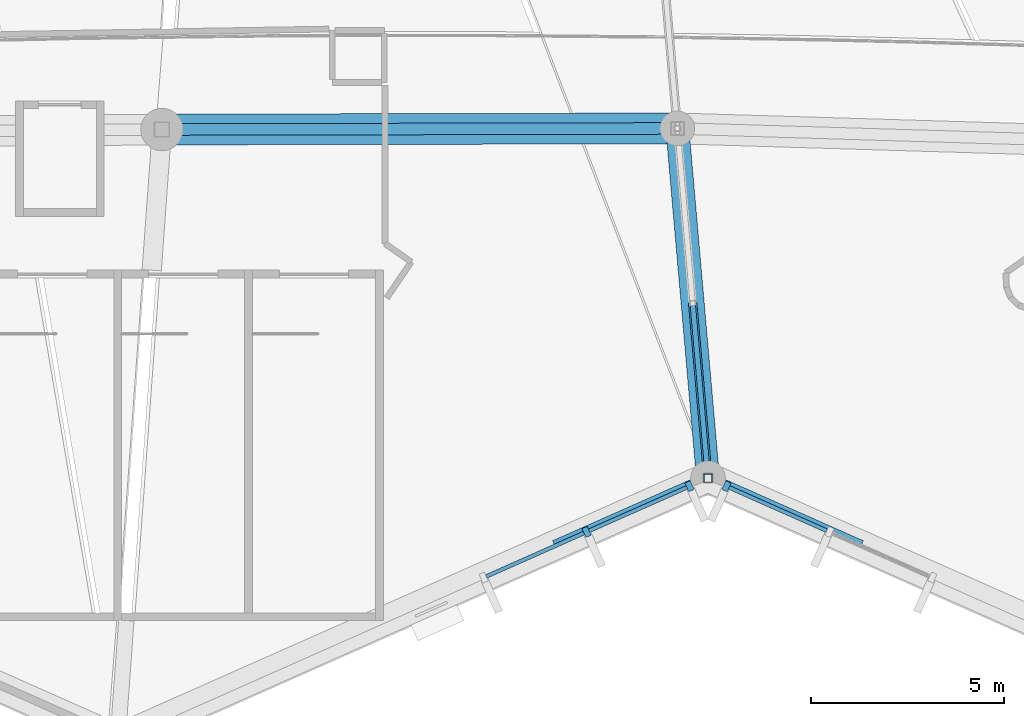
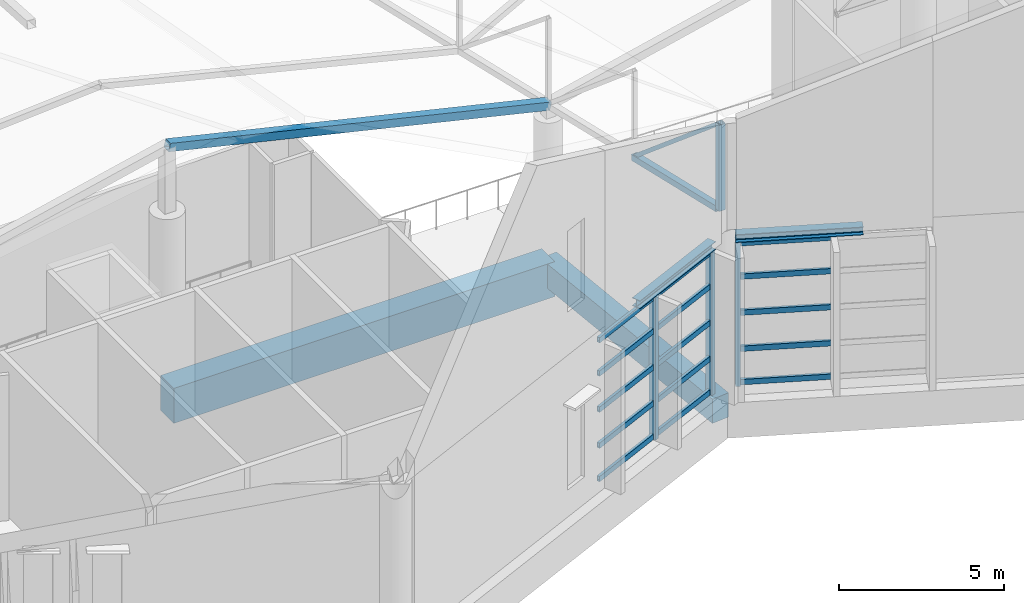
# One storey, part 34 of 344: 22 members, 4 beams, 2 elements without a shape of their own.
"""IFC4 building model written with IfcOpenShell, lengths in metres."""

from ifc_helpers import new_model, si_unit, direction, frame, origin, origin_2d, place, context, subcontext, project, spatial, rectangle, hollow_rectangle, i_section, extrude, material, layer, layer_set, material_profile, profile_set, type_object, element, aggregate, save


model = new_model("IFC4")

# Units and contexts
model_context = context("Model", 3, precision=1e-05, world=origin(), true_north=direction((0.0, 1.0)))
body_context = subcontext(model_context, "Body", "Model", "MODEL_VIEW")
ifc_project = project(units=[si_unit("LENGTHUNIT", "METRE"), si_unit("AREAUNIT", "SQUARE_METRE"), si_unit("VOLUMEUNIT", "CUBIC_METRE"), si_unit("PLANEANGLEUNIT", "RADIAN"), si_unit("MASSUNIT", "GRAM", prefix="KILO")], contexts=[model_context])

# Site, building, storey
site_placement = place(None, origin())
site = spatial("IfcSite", under=ifc_project, at=site_placement, CompositionType="ELEMENT")
building_placement = place(site_placement, origin())
building = spatial("IfcBuilding", under=site, at=building_placement, Name="Meseta Stadium", CompositionType="ELEMENT")
storey_placement = place(building_placement, frame((0.0, 0.0, 24.0)))
storey = spatial("IfcBuildingStorey", under=building, at=storey_placement, Name="L04", CompositionType="ELEMENT", Elevation=24.0)

# Beams
ifc_material_1 = material(Name="Steel S355", Category="steel")
ifc_material_profile_1 = material_profile(ifc_material_1, i_section(OverallWidth=0.300048828125, OverallDepth=0.300048828125, WebThickness=0.010986328125, FlangeThickness=0.01904296875, FilletRadius=0.027099609375, at=origin_2d()), Name="HEB 300")
ifc_profile_set_1 = profile_set([ifc_material_profile_1], Name="Steel S355")
beam_type_1 = type_object("IfcBeamType", Name="Atrium lintel beam HEB 300", PredefinedType="BEAM", material=ifc_profile_set_1)
for number, where, z_axis, x_axis, name in (
    (1, (7.255615234375, -98.7822265625, 5.5), (-0.914141668721, -0.405394880959, 0.0), (0.405394880959, -0.914141668721, 0.0), "Atrium lintel beam F46"),
    (2, (8.07763671875, -98.7822265625, 5.5), (0.914141668721, -0.405394880959, 0.0), (0.405394880959, 0.914141668721, 0.0), "Atrium lintel beam F47"),
):
    element("IfcBeam", number, at=place(storey_placement, frame(where, z_axis=z_axis, x_axis=x_axis)), inside=storey, type_object=beam_type_1, Name=name, PredefinedType="BEAM", context=body_context, shape_type="SweptSolid", body=[
        extrude(i_section(OverallWidth=0.300048828125, OverallDepth=0.300048828125, WebThickness=0.010986328125, FlangeThickness=0.01904296875, FilletRadius=0.027099609375, at=origin_2d()), origin(), (0.0, 0.0, 1.0), 3.900146484375),
    ])

# Curtain wall, members
ifc_material_2 = material(Name="Steel S355", Category="steel")
ifc_layer = layer(ifc_material_2, 0.300048828125)
ifc_layer_set = layer_set([ifc_layer], Name="Valley atrium curtain wall")
curtain_wall_type = type_object("IfcCurtainWallType", Name="Valley atrium curtain wall", PredefinedType="NOTDEFINED", material=ifc_layer_set)
curtain_wall_1_placement = place(storey_placement, origin())
curtain_wall_1 = element("IfcCurtainWall", 3, at=curtain_wall_1_placement, inside=storey, type_object=curtain_wall_type, Name="Valley atrium glazing F46", PredefinedType="NOTDEFINED")
ifc_material_3 = material(Name="Steel S355", Category="steel")
ifc_material_profile_2 = material_profile(ifc_material_3, rectangle(XDim=0.25, YDim=0.14990234375, at=origin_2d()), Name="CW 250x150")
ifc_profile_set_2 = profile_set([ifc_material_profile_2], Name="Steel S355")
member_type_1 = type_object("IfcMemberType", Name="CW mullion bar 250x150", PredefinedType="MULLION", material=ifc_profile_set_2)
member_1_placement = place(storey_placement, frame((4.51318359375, -99.99853515625, 0.0), z_axis=(0.0, 0.0, 1.0), x_axis=(-0.405400794526, 0.914139046206, 0.0)))
member_1 = element("IfcMember", 4, at=member_1_placement, type_object=member_type_1, Name="CWA mullion 2", PredefinedType="MULLION", context=body_context, shape_type="SweptSolid", body=[
    extrude(rectangle(XDim=0.25, YDim=0.14990234375, at=origin_2d()), origin(), (0.0, 0.0, 1.0), 5.35009765625),
])
member_2_placement = place(storey_placement, frame((7.18701171875, -98.812744140625, 0.0), z_axis=(0.0, 0.0, 1.0), x_axis=(-0.405400794526, 0.914139046206, 0.0)))
member_2 = element("IfcMember", 5, at=member_2_placement, type_object=member_type_1, Name="CWA mullion 3", PredefinedType="MULLION", context=body_context, shape_type="SweptSolid", body=[
    extrude(rectangle(XDim=0.25, YDim=0.14990234375, at=origin_2d()), origin(), (0.0, 0.0, 1.0), 5.35009765625),
])

# Curtain wall, member
curtain_wall_2_placement = place(storey_placement, origin())
curtain_wall_2 = element("IfcCurtainWall", 6, at=curtain_wall_2_placement, inside=storey, type_object=curtain_wall_type, Name="Valley atrium glazing F47", PredefinedType="NOTDEFINED")
member_3_placement = place(storey_placement, frame((8.146240234375, -98.812744140625, 0.0), z_axis=(0.0, 0.0, 1.0), x_axis=(0.405400794462, 0.914139046234, 0.0)))
member_3 = element("IfcMember", 7, at=member_3_placement, type_object=member_type_1, Name="CWA mullion 1", PredefinedType="MULLION", context=body_context, shape_type="SweptSolid", body=[
    extrude(rectangle(XDim=0.25, YDim=0.14990234375, at=origin_2d()), origin(), (0.0, 0.0, 1.0), 5.35009765625),
])

# Member
ifc_material_4 = material(Name="Steel S355", Category="steel")
ifc_material_profile_3 = material_profile(ifc_material_4, hollow_rectangle(XDim=0.10009765625, YDim=0.199951171875, WallThickness=0.008056640625, at=origin_2d()), Name="RHS 200x100x8")
ifc_profile_set_3 = profile_set([ifc_material_profile_3], Name="Steel S355")
member_type_2 = type_object("IfcMemberType", Name="CW transom RHS 200x100x8", PredefinedType="USERDEFINED", material=ifc_profile_set_3)
member_4_placement = place(storey_placement, frame((1.907958984375, -101.15380859375, 0.10009765625), z_axis=(0.914130540293, 0.405419973982, 0.0), x_axis=(-0.405419973982, 0.914130540293, 0.0)))
member_4 = element("IfcMember", 8, at=member_4_placement, type_object=member_type_2, Name="CWA transom 1.1", ObjectType="TRANSOM", PredefinedType="USERDEFINED", context=body_context, shape_type="SweptSolid", body=[
    extrude(hollow_rectangle(XDim=0.10009765625, YDim=0.199951171875, WallThickness=0.008056640625, at=origin_2d()), origin(), (0.0, 0.0, 1.0), 2.77490234375),
])

member_5_placement = place(storey_placement, frame((1.907958984375, -101.15380859375, 1.33740234375), z_axis=(0.914130540293, 0.405419973982, 0.0), x_axis=(-0.405419973982, 0.914130540293, 0.0)))
member_5 = element("IfcMember", 9, at=member_5_placement, type_object=member_type_2, Name="CWA transom 1.2", ObjectType="TRANSOM", PredefinedType="USERDEFINED", context=body_context, shape_type="SweptSolid", body=[
    extrude(hollow_rectangle(XDim=0.10009765625, YDim=0.199951171875, WallThickness=0.008056640625, at=origin_2d()), origin(), (0.0, 0.0, 1.0), 2.77490234375),
])

member_6_placement = place(storey_placement, frame((1.907958984375, -101.15380859375, 2.675048828125), z_axis=(0.914130540293, 0.405419973982, 0.0), x_axis=(-0.405419973982, 0.914130540293, 0.0)))
member_6 = element("IfcMember", 10, at=member_6_placement, type_object=member_type_2, Name="CWA transom 1.3", ObjectType="TRANSOM", PredefinedType="USERDEFINED", context=body_context, shape_type="SweptSolid", body=[
    extrude(hollow_rectangle(XDim=0.10009765625, YDim=0.199951171875, WallThickness=0.008056640625, at=origin_2d()), origin(), (0.0, 0.0, 1.0), 2.77490234375),
])

member_7_placement = place(storey_placement, frame((1.907958984375, -101.15380859375, 4.012451171875), z_axis=(0.914130540293, 0.405419973982, 0.0), x_axis=(-0.405419973982, 0.914130540293, 0.0)))
member_7 = element("IfcMember", 11, at=member_7_placement, type_object=member_type_2, Name="CWA transom 1.4", ObjectType="TRANSOM", PredefinedType="USERDEFINED", context=body_context, shape_type="SweptSolid", body=[
    extrude(hollow_rectangle(XDim=0.10009765625, YDim=0.199951171875, WallThickness=0.008056640625, at=origin_2d()), origin(), (0.0, 0.0, 1.0), 2.77490234375),
])

member_8_placement = place(storey_placement, frame((1.907958984375, -101.15380859375, 5.25), z_axis=(0.914130540293, 0.405419973982, 0.0), x_axis=(-0.405419973982, 0.914130540293, 0.0)))
member_8 = element("IfcMember", 12, at=member_8_placement, type_object=member_type_2, Name="CWA transom 1.5", ObjectType="TRANSOM", PredefinedType="USERDEFINED", context=body_context, shape_type="SweptSolid", body=[
    extrude(hollow_rectangle(XDim=0.10009765625, YDim=0.199951171875, WallThickness=0.008056640625, at=origin_2d()), origin(), (0.0, 0.0, 1.0), 2.77490234375),
])

member_9_placement = place(storey_placement, frame((4.581787109375, -99.968017578125, 0.10009765625), z_axis=(0.914144999703, 0.405387369707, 0.0), x_axis=(-0.405387369707, 0.914144999703, 0.0)))
member_9 = element("IfcMember", 13, at=member_9_placement, type_object=member_type_2, Name="CWA transom 2.1", ObjectType="TRANSOM", PredefinedType="USERDEFINED", context=body_context, shape_type="SweptSolid", body=[
    extrude(hollow_rectangle(XDim=0.10009765625, YDim=0.199951171875, WallThickness=0.008056640625, at=origin_2d()), origin(), (0.0, 0.0, 1.0), 2.775146484375),
])

member_10_placement = place(storey_placement, frame((4.581787109375, -99.968017578125, 1.33740234375), z_axis=(0.914144999703, 0.405387369707, 0.0), x_axis=(-0.405387369707, 0.914144999703, 0.0)))
member_10 = element("IfcMember", 14, at=member_10_placement, type_object=member_type_2, Name="CWA transom 2.2", ObjectType="TRANSOM", PredefinedType="USERDEFINED", context=body_context, shape_type="SweptSolid", body=[
    extrude(hollow_rectangle(XDim=0.10009765625, YDim=0.199951171875, WallThickness=0.008056640625, at=origin_2d()), origin(), (0.0, 0.0, 1.0), 2.775146484375),
])

member_11_placement = place(storey_placement, frame((4.581787109375, -99.968017578125, 2.675048828125), z_axis=(0.914144999703, 0.405387369707, 0.0), x_axis=(-0.405387369707, 0.914144999703, 0.0)))
member_11 = element("IfcMember", 15, at=member_11_placement, type_object=member_type_2, Name="CWA transom 2.3", ObjectType="TRANSOM", PredefinedType="USERDEFINED", context=body_context, shape_type="SweptSolid", body=[
    extrude(hollow_rectangle(XDim=0.10009765625, YDim=0.199951171875, WallThickness=0.008056640625, at=origin_2d()), origin(), (0.0, 0.0, 1.0), 2.775146484375),
])

member_12_placement = place(storey_placement, frame((4.581787109375, -99.968017578125, 4.012451171875), z_axis=(0.914144999703, 0.405387369707, 0.0), x_axis=(-0.405387369707, 0.914144999703, 0.0)))
member_12 = element("IfcMember", 16, at=member_12_placement, type_object=member_type_2, Name="CWA transom 2.4", ObjectType="TRANSOM", PredefinedType="USERDEFINED", context=body_context, shape_type="SweptSolid", body=[
    extrude(hollow_rectangle(XDim=0.10009765625, YDim=0.199951171875, WallThickness=0.008056640625, at=origin_2d()), origin(), (0.0, 0.0, 1.0), 2.775146484375),
])

member_13_placement = place(storey_placement, frame((4.581787109375, -99.968017578125, 5.25), z_axis=(0.914144999703, 0.405387369707, 0.0), x_axis=(-0.405387369707, 0.914144999703, 0.0)))
member_13 = element("IfcMember", 17, at=member_13_placement, type_object=member_type_2, Name="CWA transom 2.5", ObjectType="TRANSOM", PredefinedType="USERDEFINED", context=body_context, shape_type="SweptSolid", body=[
    extrude(hollow_rectangle(XDim=0.10009765625, YDim=0.199951171875, WallThickness=0.008056640625, at=origin_2d()), origin(), (0.0, 0.0, 1.0), 2.775146484375),
])

aggregate(curtain_wall_1, [member_1, member_2, member_4, member_5, member_6, member_7, member_8, member_9, member_10, member_11, member_12, member_13])

member_14_placement = place(storey_placement, frame((8.21484375, -98.843017578125, 0.10009765625), z_axis=(0.914130540293, -0.405419973982, 0.0), x_axis=(0.405419973982, 0.914130540293, 0.0)))
member_14 = element("IfcMember", 18, at=member_14_placement, type_object=member_type_2, Name="CWA transom 1.1", ObjectType="TRANSOM", PredefinedType="USERDEFINED", context=body_context, shape_type="SweptSolid", body=[
    extrude(hollow_rectangle(XDim=0.10009765625, YDim=0.199951171875, WallThickness=0.008056640625, at=origin_2d()), origin(), (0.0, 0.0, 1.0), 2.77490234375),
])

member_15_placement = place(storey_placement, frame((8.21484375, -98.843017578125, 1.33740234375), z_axis=(0.914130540293, -0.405419973982, 0.0), x_axis=(0.405419973982, 0.914130540293, 0.0)))
member_15 = element("IfcMember", 19, at=member_15_placement, type_object=member_type_2, Name="CWA transom 1.2", ObjectType="TRANSOM", PredefinedType="USERDEFINED", context=body_context, shape_type="SweptSolid", body=[
    extrude(hollow_rectangle(XDim=0.10009765625, YDim=0.199951171875, WallThickness=0.008056640625, at=origin_2d()), origin(), (0.0, 0.0, 1.0), 2.77490234375),
])

member_16_placement = place(storey_placement, frame((8.21484375, -98.843017578125, 2.675048828125), z_axis=(0.914130540293, -0.405419973982, 0.0), x_axis=(0.405419973982, 0.914130540293, 0.0)))
member_16 = element("IfcMember", 20, at=member_16_placement, type_object=member_type_2, Name="CWA transom 1.3", ObjectType="TRANSOM", PredefinedType="USERDEFINED", context=body_context, shape_type="SweptSolid", body=[
    extrude(hollow_rectangle(XDim=0.10009765625, YDim=0.199951171875, WallThickness=0.008056640625, at=origin_2d()), origin(), (0.0, 0.0, 1.0), 2.77490234375),
])

member_17_placement = place(storey_placement, frame((8.21484375, -98.843017578125, 4.012451171875), z_axis=(0.914130540293, -0.405419973982, 0.0), x_axis=(0.405419973982, 0.914130540293, 0.0)))
member_17 = element("IfcMember", 21, at=member_17_placement, type_object=member_type_2, Name="CWA transom 1.4", ObjectType="TRANSOM", PredefinedType="USERDEFINED", context=body_context, shape_type="SweptSolid", body=[
    extrude(hollow_rectangle(XDim=0.10009765625, YDim=0.199951171875, WallThickness=0.008056640625, at=origin_2d()), origin(), (0.0, 0.0, 1.0), 2.77490234375),
])

member_18_placement = place(storey_placement, frame((8.21484375, -98.843017578125, 5.25), z_axis=(0.914130540293, -0.405419973982, 0.0), x_axis=(0.405419973982, 0.914130540293, 0.0)))
member_18 = element("IfcMember", 22, at=member_18_placement, type_object=member_type_2, Name="CWA transom 1.5", ObjectType="TRANSOM", PredefinedType="USERDEFINED", context=body_context, shape_type="SweptSolid", body=[
    extrude(hollow_rectangle(XDim=0.10009765625, YDim=0.199951171875, WallThickness=0.008056640625, at=origin_2d()), origin(), (0.0, 0.0, 1.0), 2.77490234375),
])

aggregate(curtain_wall_2, [member_3, member_14, member_15, member_16, member_17, member_18])

# Beams
ifc_material_5 = material(Name="Concrete C40/50", Category="concrete")
ifc_material_profile_4 = material_profile(ifc_material_5, rectangle(XDim=0.60009765625, YDim=0.89990234375, at=origin_2d()), Name="RC 600x900")
ifc_profile_set_4 = profile_set([ifc_material_profile_4], Name="Concrete C40/50")
beam_type_2 = type_object("IfcBeamType", Name="RC beam 600x900", PredefinedType="BEAM", material=ifc_profile_set_4)
beam_1_placement = place(storey_placement, frame((6.87060546875, -89.517822265625, -0.85009765625), z_axis=(0.087324072983, -0.996179956774, 0.0), x_axis=(0.996179956774, 0.087324072983, 0.0)))
element("IfcBeam", 23, at=beam_1_placement, inside=storey, type_object=beam_type_2, Name="L04 radial beam frame 47 line P to R", PredefinedType="BEAM", context=body_context, shape_type="SweptSolid", body=[
    extrude(rectangle(XDim=0.60009765625, YDim=0.89990234375, at=origin_2d()), origin(), (0.0, 0.0, 1.0), 9.1171875),
])
ifc_material_6 = material(Name="Concrete C40/50", Category="concrete")
ifc_material_profile_5 = material_profile(ifc_material_6, rectangle(XDim=0.800048828125, YDim=1.300048828125, at=origin_2d()), Name="RC 800x1300")
ifc_profile_set_5 = profile_set([ifc_material_profile_5], Name="Concrete C40/50")
beam_type_3 = type_object("IfcBeamType", Name="RC beam 800x1300", PredefinedType="BEAM", material=ifc_profile_set_5)
beam_2_placement = place(storey_placement, frame((-6.51708984375, -89.54638671875, -1.050048828125), z_axis=(0.999997723809, 0.002133629982, 0.0), x_axis=(-0.002133629982, 0.999997723809, 0.0)))
element("IfcBeam", 24, at=beam_2_placement, inside=storey, type_object=beam_type_3, Name="L04 ring beam frame 46 line P", PredefinedType="BEAM", context=body_context, shape_type="SweptSolid", body=[
    extrude(rectangle(XDim=0.800048828125, YDim=1.300048828125, at=origin_2d()), origin(), (0.0, 0.0, 1.0), 13.3876953125),
])

# Members
ifc_material_7 = material(Name="Steel S355", Category="steel")
ifc_material_profile_6 = material_profile(ifc_material_7, hollow_rectangle(XDim=0.139892578125, YDim=0.139892578125, WallThickness=0.0048828125, at=origin_2d()), Name="SHS 140x140x5")
ifc_profile_set_6 = profile_set([ifc_material_profile_6], Name="Steel S355")
member_type_3 = type_object("IfcMemberType", Name="SHS 140x140x5 diagonal", PredefinedType="BRACE", material=ifc_profile_set_6)
member_19_placement = place(storey_placement, frame((7.268798828125, -94.058837890625, 5.876708984375), z_axis=(0.06659176663, -0.759922362632, 0.646593797827), x_axis=(0.996182489949, 0.087295170078, 0.0)))
element("IfcMember", 25, at=member_19_placement, inside=storey, type_object=member_type_3, Name="ROOF TRUSS RT-47 diagonal", PredefinedType="BRACE", context=body_context, shape_type="SweptSolid", body=[
    extrude(hollow_rectangle(XDim=0.139892578125, YDim=0.139892578125, WallThickness=0.0048828125, at=origin_2d()), origin(), (0.0, 0.0, 1.0), 5.97607421875),
])
ifc_material_8 = material(Name="Steel S355", Category="steel")
ifc_material_profile_7 = material_profile(ifc_material_8, hollow_rectangle(XDim=0.219970703125, YDim=0.219970703125, WallThickness=0.008056640625, at=origin_2d()), Name="SHS 220x220x8")
ifc_profile_set_7 = profile_set([ifc_material_profile_7], Name="Steel S355")
member_type_4 = type_object("IfcMemberType", Name="SHS 220x220x8 bottom chord", PredefinedType="CHORD", material=ifc_profile_set_7)
member_20_placement = place(storey_placement, frame((7.268798828125, -94.058837890625, 5.876708984375), z_axis=(0.086383151398, -0.985777810676, 0.144152901925), x_axis=(0.996182512779, 0.087294909552, 0.0)))
element("IfcMember", 26, at=member_20_placement, inside=storey, type_object=member_type_4, Name="ROOF TRUSS RT-47 bottom chord", PredefinedType="CHORD", context=body_context, shape_type="SweptSolid", body=[
    extrude(hollow_rectangle(XDim=0.219970703125, YDim=0.219970703125, WallThickness=0.008056640625, at=origin_2d()), origin(), (0.0, 0.0, 1.0), 4.49658203125),
])
ifc_material_9 = material(Name="Steel S355", Category="steel")
ifc_material_profile_8 = material_profile(ifc_material_9, hollow_rectangle(XDim=0.219970703125, YDim=0.219970703125, WallThickness=0.008056640625, at=origin_2d()), Name="SHS 220x220x8")
ifc_profile_set_8 = profile_set([ifc_material_profile_8], Name="Steel S355")
member_type_5 = type_object("IfcMemberType", Name="SHS 220x220x8 rim post", PredefinedType="POST", material=ifc_profile_set_8)
member_21_placement = place(storey_placement, frame((7.666748046875, -98.60009765625, 6.540771484375), z_axis=(0.0, 0.0, 1.0), x_axis=(1.0, 0.0, 0.0)))
element("IfcMember", 27, at=member_21_placement, inside=storey, type_object=member_type_5, Name="ROOF TRUSS RT-47 post", PredefinedType="POST", context=body_context, shape_type="SweptSolid", body=[
    extrude(hollow_rectangle(XDim=0.219970703125, YDim=0.219970703125, WallThickness=0.008056640625, at=origin_2d()), origin(), (0.0, 0.0, 1.0), 3.199951171875),
])
ifc_material_10 = material(Name="Steel S355", Category="steel")
ifc_material_profile_9 = material_profile(ifc_material_10, hollow_rectangle(XDim=0.300048828125, YDim=0.300048828125, WallThickness=0.010009765625, at=origin_2d()), Name="SHS 300x300x10")
ifc_profile_set_9 = profile_set([ifc_material_profile_9], Name="Steel S355")
member_type_6 = type_object("IfcMemberType", Name="SHS 300x300x10 pivot strut", PredefinedType="STRUT", material=ifc_profile_set_9)
member_22_placement = place(storey_placement, frame((-6.51708984375, -89.54638671875, 8.376953125), z_axis=(0.973184392899, 0.00207638226, -0.230017012535), x_axis=(-0.002133591073, 0.999997723892, 0.0)))
element("IfcMember", 28, at=member_22_placement, inside=storey, type_object=member_type_6, Name="ROOF PIVOT STRUT RT-46/47", PredefinedType="STRUT", context=body_context, shape_type="SweptSolid", body=[
    extrude(hollow_rectangle(XDim=0.300048828125, YDim=0.300048828125, WallThickness=0.010009765625, at=origin_2d()), origin(), (0.0, 0.0, 1.0), 13.7568359375),
])

save(model, "model.ifc")
